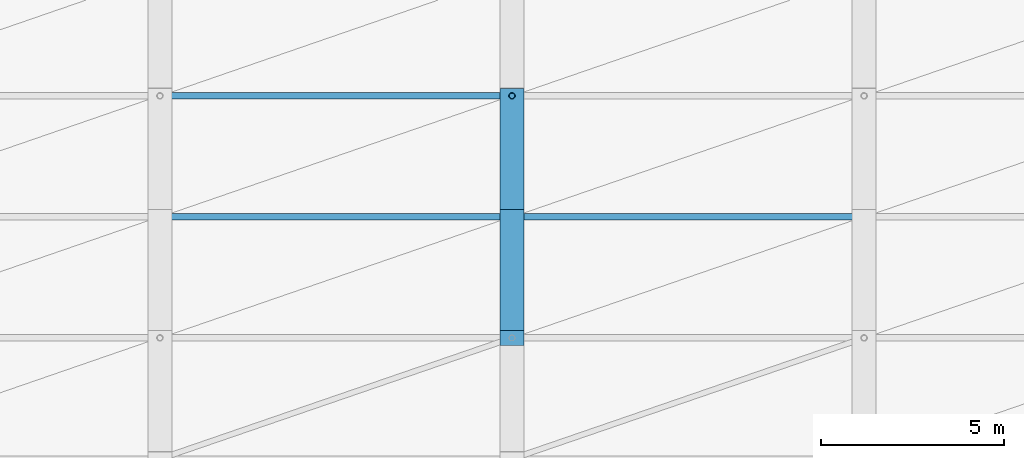
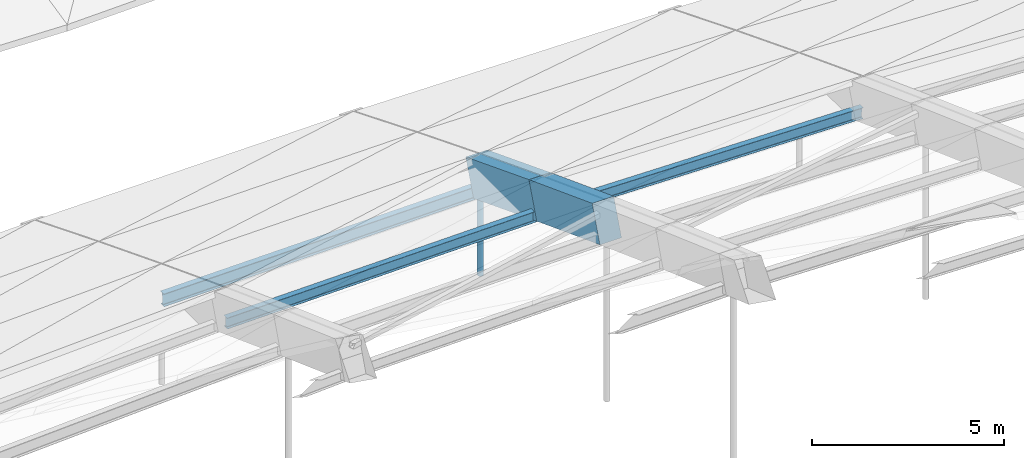
# One storey, part 24 of 43: 4 members, 2 beams.
"""IFC4 building model written with IfcOpenShell, lengths in metres."""

from ifc_helpers import new_model, si_unit, direction, frame, origin, origin_2d, place, context, subcontext, project, spatial, rectangle, hollow_circle, i_section, extrude, material, material_profile, profile_set, type_object, element, save


model = new_model("IFC4")

# Units and contexts
model_context = context("Model", 3, precision=1e-05, world=origin(), true_north=direction((0.0, 1.0)))
body_context = subcontext(model_context, "Body", "Model", "MODEL_VIEW")
ifc_project = project(units=[si_unit("LENGTHUNIT", "METRE"), si_unit("AREAUNIT", "SQUARE_METRE"), si_unit("VOLUMEUNIT", "CUBIC_METRE"), si_unit("PLANEANGLEUNIT", "RADIAN"), si_unit("MASSUNIT", "GRAM", prefix="KILO")], contexts=[model_context])

# Site, building, storey
site_placement = place(None, origin())
site = spatial("IfcSite", under=ifc_project, at=site_placement, CompositionType="ELEMENT")
building_placement = place(site_placement, origin())
building = spatial("IfcBuilding", under=site, at=building_placement, Name="Chalmorin Arch Market", CompositionType="ELEMENT")
storey_placement = place(building_placement, frame((0.0, 0.0, 18.60009765625)))
storey = spatial("IfcBuildingStorey", under=building, at=storey_placement, Name="RF", CompositionType="ELEMENT", Elevation=18.60009765625)

# Member
ifc_material_1 = material(Name="Steel A500 Grade C", Category="steel")
ifc_material_profile_1 = material_profile(ifc_material_1, hollow_circle(Radius=0.084228515625, WallThickness=0.007080078125, at=origin_2d()), Name="CHS168X7")
ifc_profile_set_1 = profile_set([ifc_material_profile_1], Name="Steel A500 Grade C")
member_type_1 = type_object("IfcMemberType", Name="ArchHangerTie-CHS168", PredefinedType="CHORD", material=ifc_profile_set_1)
member_1_placement = place(storey_placement, frame((86.39990234375, 52.199951171875, -2.4501953125), z_axis=(0.0, 0.0, 1.0), x_axis=(1.0, 0.0, 0.0)))
element("IfcMember", 1, at=member_1_placement, inside=storey, type_object=member_type_1, Name="HT-CH168-0162", PredefinedType="CHORD", context=body_context, shape_type="SweptSolid", body=[
    extrude(hollow_circle(Radius=0.084228515625, WallThickness=0.007080078125, at=origin_2d()), origin(), (0.0, 0.0, 1.0), 3.197265625),
])

# Beams
ifc_material_2 = material(Name="Concrete C50/60", Category="concrete")
ifc_material_profile_2 = material_profile(ifc_material_2, rectangle(XDim=0.64990234375, YDim=1.14990234375, at=origin_2d()), Name="RC650X1150")
ifc_profile_set_2 = profile_set([ifc_material_profile_2], Name="Concrete C50/60")
beam_type = type_object("IfcBeamType", Name="ArchRibChord-650x1150", PredefinedType="BEAM", material=ifc_profile_set_2)
beam_1_placement = place(storey_placement, frame((86.39990234375, 45.60009765625, 3.27099609375), z_axis=(0.0, 0.935473110611, -0.353397876796), x_axis=(-1.0, 0.0, 0.0)))
element("IfcBeam", 2, at=beam_1_placement, inside=storey, type_object=beam_type, Name="AR-01-1673", PredefinedType="BEAM", context=body_context, shape_type="SweptSolid", body=[
    extrude(rectangle(XDim=0.64990234375, YDim=1.14990234375, at=origin_2d()), origin(), (0.0, 0.0, 1.0), 3.52734375),
])
beam_2_placement = place(storey_placement, frame((86.39990234375, 48.89990234375, 2.0244140625), z_axis=(0.0, 0.932577088915, -0.360970875875), x_axis=(-1.0, 0.0, 0.0)))
element("IfcBeam", 3, at=beam_2_placement, inside=storey, type_object=beam_type, Name="AR-01-1674", PredefinedType="BEAM", context=body_context, shape_type="SweptSolid", body=[
    extrude(rectangle(XDim=0.64990234375, YDim=1.14990234375, at=origin_2d()), origin(), (0.0, 0.0, 1.0), 3.53857421875),
])

# Members
ifc_material_3 = material(Name="Steel A992 Grade 50", Category="steel")
ifc_material_profile_3 = material_profile(ifc_material_3, i_section(OverallWidth=0.1708984375, OverallDepth=0.35107421875, WebThickness=0.0068359375, FlangeThickness=0.009765625, FilletRadius=0.014892578125, at=origin_2d()), Name="W14X30")
ifc_profile_set_3 = profile_set([ifc_material_profile_3], Name="Steel A992 Grade 50")
member_type_2 = type_object("IfcMemberType", Name="RoofSteelPurlin-W14X30", PredefinedType="PURLIN", material=ifc_profile_set_3)
member_2_placement = place(storey_placement, frame((76.820068359375, 48.89990234375, 1.388671875), z_axis=(0.999867289257, 0.0, 0.016291220741), x_axis=(0.0, 1.0, 0.0)))
element("IfcMember", 4, at=member_2_placement, inside=storey, type_object=member_type_2, Name="PR-W14-0252", PredefinedType="PURLIN", context=body_context, shape_type="SweptSolid", body=[
    extrude(i_section(OverallWidth=0.1708984375, OverallDepth=0.35107421875, WebThickness=0.0068359375, FlangeThickness=0.009765625, FilletRadius=0.014892578125, at=origin_2d()), origin(), (0.0, 0.0, 1.0), 9.56103515625),
])
member_3_placement = place(storey_placement, frame((86.419921875, 48.89990234375, 1.54443359375), z_axis=(0.999867296034, 0.0, -0.016290804813), x_axis=(0.0, 1.0, 0.0)))
element("IfcMember", 5, at=member_3_placement, inside=storey, type_object=member_type_2, Name="PR-W14-0273", PredefinedType="PURLIN", context=body_context, shape_type="SweptSolid", body=[
    extrude(i_section(OverallWidth=0.1708984375, OverallDepth=0.35107421875, WebThickness=0.0068359375, FlangeThickness=0.009765625, FilletRadius=0.014892578125, at=origin_2d()), origin(), (0.0, 0.0, 1.0), 9.561279296875),
])
ifc_material_profile_4 = material_profile(ifc_material_3, i_section(OverallWidth=0.178955078125, OverallDepth=0.409912109375, WebThickness=0.0087890625, FlangeThickness=0.014404296875, FilletRadius=0.01806640625, at=origin_2d()), Name="W16X45")
ifc_profile_set_4 = profile_set([ifc_material_profile_4], Name="Steel A992 Grade 50")
member_type_3 = type_object("IfcMemberType", Name="RoofSteelPurlin-W16X45", PredefinedType="PURLIN", material=ifc_profile_set_4)
member_4_placement = place(storey_placement, frame((76.820068359375, 52.199951171875, 0.12841796875), z_axis=(0.999894808821, 0.0, 0.014504181919), x_axis=(0.0, 1.0, 0.0)))
element("IfcMember", 6, at=member_4_placement, inside=storey, type_object=member_type_3, Name="PR-W16-0253", PredefinedType="PURLIN", context=body_context, shape_type="SweptSolid", body=[
    extrude(i_section(OverallWidth=0.178955078125, OverallDepth=0.409912109375, WebThickness=0.0087890625, FlangeThickness=0.014404296875, FilletRadius=0.01806640625, at=origin_2d()), origin(), (0.0, 0.0, 1.0), 9.560791015625),
])

save(model, "model.ifc")
